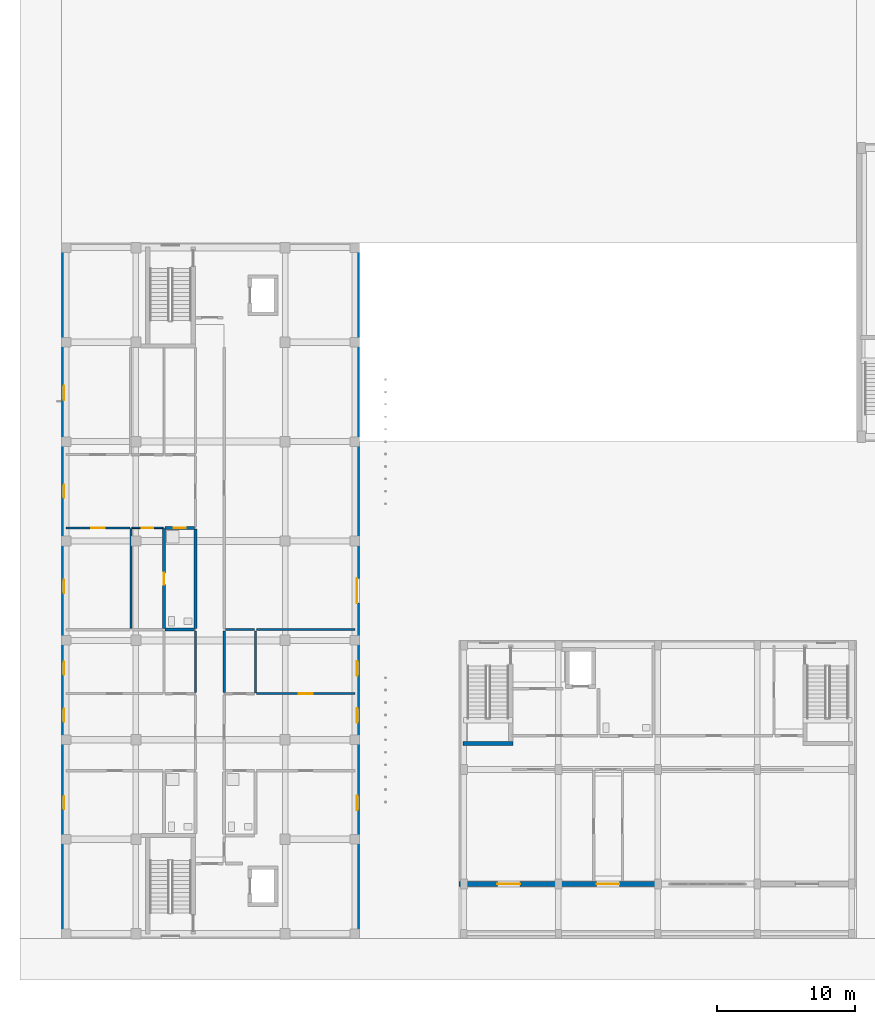
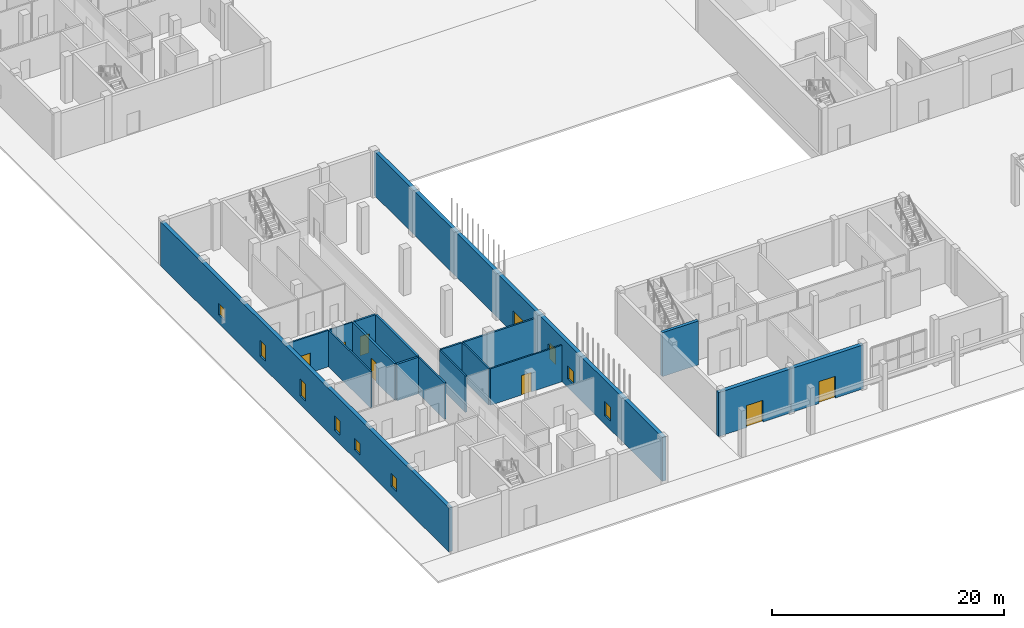
# One storey, part 37 of 85: 18 walls, 9 windows, 8 doors, 17 openings.
"""IFC4 building model written with IfcOpenShell, lengths in metres."""

from ifc_helpers import new_model, si_unit, derived_unit, direction, frame, frame_2d, origin, place, context, subcontext, project, spatial, rectangle, extrude, material, layer, layer_set, type_object, element, fill, save


model = new_model("IFC4")

# Units and contexts
model_context = context("Model", 3, precision=1e-05, world=origin(), true_north=direction((0.0, 1.0)))
body_context = subcontext(model_context, "Body", "Model", "MODEL_VIEW")
ifc_project = project(units=[si_unit("LENGTHUNIT", "METRE"), si_unit("AREAUNIT", "SQUARE_METRE"), si_unit("VOLUMEUNIT", "CUBIC_METRE"), si_unit("PLANEANGLEUNIT", "RADIAN"), si_unit("MASSUNIT", "GRAM", prefix="KILO"), derived_unit("THERMALTRANSMITTANCEUNIT", [(si_unit("MASSUNIT", "GRAM", prefix="KILO"), 1), (si_unit("TIMEUNIT", "SECOND"), -3), (si_unit("THERMODYNAMICTEMPERATUREUNIT", "KELVIN"), -1)])], contexts=[model_context])

# Site, building, storey
site_placement = place(None, origin())
site = spatial("IfcSite", under=ifc_project, at=site_placement, CompositionType="ELEMENT")
building_placement = place(site_placement, origin())
building = spatial("IfcBuilding", under=site, at=building_placement, Name="Ochrekiln Boulevard Commons", CompositionType="ELEMENT")
storey_placement = place(building_placement, origin())
storey = spatial("IfcBuildingStorey", under=building, at=storey_placement, Name="L00", CompositionType="ELEMENT", Elevation=0.0)

# Wall, opening, door
ifc_material_1 = material(Name="Desert ochre clinker brick masonry ASTM C216 Grade SW", Category="masonry")
ifc_layer_1 = layer(ifc_material_1, 0.3798828125)
ifc_layer_set_1 = layer_set([ifc_layer_1], Name="Desert ochre clinker brick masonry ASTM C216 Grade SW")
wall_type_1 = type_object("IfcWallType", Name="WL-EXT-ARC-380", PredefinedType="SOLIDWALL", material=ifc_layer_set_1)
wall_1_placement = place(storey_placement, frame((28.800048828125, 3.949951171875, 0.0), z_axis=(0.0, 0.0, 1.0), x_axis=(1.0, 0.0, 0.0)))
wall_1 = element("IfcWall", 1, at=wall_1_placement, inside=storey, type_object=wall_type_1, Name="West Boulevard Arcade Shopfront Portal Wall 1", PredefinedType="SOLIDWALL", context=body_context, shape_type="SweptSolid", body=[
    extrude(rectangle(XDim=7.199951171875, YDim=0.3798828125, at=frame_2d((3.60009765625, 0.0))), origin(), (0.0, 0.0, 1.0), 4.625),
])
opening_1_placement = place(wall_1_placement, frame((2.77490234375, 0.0, 0.0)))
opening_1 = element("IfcOpeningElement", 2, at=opening_1_placement, cuts=wall_1, Name="Opening D-L00-SHW1", PredefinedType="OPENING", context=body_context, shape_type="SweptSolid", body=[
    extrude(rectangle(XDim=1.64990234375, YDim=2.300048828125, at=frame_2d((0.824951171875, 1.14990234375))), frame((0.0, 0.199951171875, 0.0), z_axis=(0.0, -1.0, 0.0), x_axis=(1.0, 0.0, 0.0)), (0.0, 0.0, 1.0), 0.39990234375),
])
ifc_material_2 = material(Name="Bronze-anodized extruded aluminium 6063-T6", Category="aluminium")
door_type_1 = type_object("IfcDoorType", Name="DR-EXT-SHOP-165", OperationType="DOUBLE_DOOR_SINGLE_SWING", PredefinedType="DOOR", material=ifc_material_2)
door_1_placement = place(opening_1_placement, frame((1.64990234375, 0.0, 0.0), z_axis=(0.0, 0.0, 1.0), x_axis=(-1.0, 0.0, 0.0)))
door_1 = element("IfcDoor", 3, at=door_1_placement, inside=storey, type_object=door_type_1, Name="West Boulevard Arcade Retail Shop Entrance Door 1", OperationType="DOUBLE_DOOR_SINGLE_SWING", OverallHeight=2.300048828125, OverallWidth=1.64990234375, PredefinedType="DOOR", context=body_context, shape_type="SweptSolid", body=[
    extrude(rectangle(XDim=1.64990234375, YDim=2.300048828125, at=frame_2d((0.824951171875, 1.14990234375))), frame((0.0, 0.02490234375, 0.0), z_axis=(0.0, -1.0, 0.0), x_axis=(1.0, 0.0, 0.0)), (0.0, 0.0, 1.0), 0.050048828125),
])
fill(opening_1, door_1)

wall_2_placement = place(storey_placement, frame((36.0, 3.949951171875, 0.0), z_axis=(0.0, 0.0, 1.0), x_axis=(1.0, 0.0, 0.0)))
wall_2 = element("IfcWall", 4, at=wall_2_placement, inside=storey, type_object=wall_type_1, Name="West Boulevard Arcade Shopfront Portal Wall 2", PredefinedType="SOLIDWALL", context=body_context, shape_type="SweptSolid", body=[
    extrude(rectangle(XDim=7.199951171875, YDim=0.3798828125, at=frame_2d((3.60009765625, 0.0))), origin(), (0.0, 0.0, 1.0), 4.625),
])
opening_2_placement = place(wall_2_placement, frame((2.77490234375, 0.0, 0.0)))
opening_2 = element("IfcOpeningElement", 5, at=opening_2_placement, cuts=wall_2, Name="Opening D-L00-SHW2", PredefinedType="OPENING", context=body_context, shape_type="SweptSolid", body=[
    extrude(rectangle(XDim=1.64990234375, YDim=2.300048828125, at=frame_2d((0.824951171875, 1.14990234375))), frame((0.0, 0.199951171875, 0.0), z_axis=(0.0, -1.0, 0.0), x_axis=(1.0, 0.0, 0.0)), (0.0, 0.0, 1.0), 0.39990234375),
])
door_2_placement = place(opening_2_placement, frame((1.64990234375, 0.0, 0.0), z_axis=(0.0, 0.0, 1.0), x_axis=(-1.0, 0.0, 0.0)))
door_2 = element("IfcDoor", 6, at=door_2_placement, inside=storey, type_object=door_type_1, Name="West Boulevard Arcade Breezeway Passage Entrance Door 2", OperationType="DOUBLE_DOOR_SINGLE_SWING", OverallHeight=2.300048828125, OverallWidth=1.64990234375, PredefinedType="DOOR", context=body_context, shape_type="SweptSolid", body=[
    extrude(rectangle(XDim=1.64990234375, YDim=2.300048828125, at=frame_2d((0.824951171875, 1.14990234375))), frame((0.0, 0.02490234375, 0.0), z_axis=(0.0, -1.0, 0.0), x_axis=(1.0, 0.0, 0.0)), (0.0, 0.0, 1.0), 0.050048828125),
])
fill(opening_2, door_2)

# Wall, openings, windows
ifc_material_3 = material(Name="Iron-spot brown clinker brick masonry ASTM C216 Grade SW", Category="masonry")
ifc_layer_2 = layer(ifc_material_3, 0.364990234375)
ifc_layer_set_2 = layer_set([ifc_layer_2], Name="Iron-spot brown clinker brick masonry ASTM C216 Grade SW")
wall_type_2 = type_object("IfcWallType", Name="WL-EXT-IRON-365", PredefinedType="SOLIDWALL", material=ifc_layer_set_2)
wall_3_placement = place(storey_placement, frame((0.1826171875, 0.364990234375, 0.0), z_axis=(0.0, 0.0, 1.0), x_axis=(0.0, 1.0, 0.0)))
wall_3 = element("IfcWall", 7, at=wall_3_placement, inside=storey, type_object=wall_type_2, Name="Block D L00 W Exterior Wall", PredefinedType="SOLIDWALL", context=body_context, shape_type="SweptSolid", body=[
    extrude(rectangle(XDim=49.669921875, YDim=0.364990234375, at=frame_2d((24.8349609375, 0.0))), origin(), (0.0, 0.0, 1.0), 4.639892578125),
])
opening_3_placement = place(wall_3_placement, frame((15.324951171875, 0.0, 0.89990234375)))
opening_3 = element("IfcOpeningElement", 8, at=opening_3_placement, cuts=wall_3, Name="Opening W-01", PredefinedType="OPENING", context=body_context, shape_type="SweptSolid", body=[
    extrude(rectangle(XDim=0.949951171875, YDim=1.199951171875, at=frame_2d((0.47509765625, 0.60009765625))), frame((0.0, 0.1923828125, 0.0), z_axis=(0.0, -1.0, 0.0), x_axis=(1.0, 0.0, 0.0)), (0.0, 0.0, 1.0), 0.385009765625),
])
opening_4_placement = place(wall_3_placement, frame((8.9970703125, 0.0, 0.89990234375)))
opening_4 = element("IfcOpeningElement", 9, at=opening_4_placement, cuts=wall_3, Name="Opening W-02", PredefinedType="OPENING", context=body_context, shape_type="SweptSolid", body=[
    extrude(rectangle(XDim=0.949951171875, YDim=1.35009765625, at=frame_2d((0.47509765625, 0.675048828125))), frame((0.0, 0.1923828125, 0.0), z_axis=(0.0, -1.0, 0.0), x_axis=(1.0, 0.0, 0.0)), (0.0, 0.0, 1.0), 0.385009765625),
])
opening_5_placement = place(wall_3_placement, frame((18.735107421875, 0.0, 0.89990234375)))
opening_5 = element("IfcOpeningElement", 10, at=opening_5_placement, cuts=wall_3, Name="Opening W-03", PredefinedType="OPENING", context=body_context, shape_type="SweptSolid", body=[
    extrude(rectangle(XDim=0.949951171875, YDim=1.5, at=frame_2d((0.47509765625, 0.75))), frame((0.0, 0.1923828125, 0.0), z_axis=(0.0, -1.0, 0.0), x_axis=(1.0, 0.0, 0.0)), (0.0, 0.0, 1.0), 0.385009765625),
])
opening_6_placement = place(wall_3_placement, frame((31.56005859375, 0.0, 0.89990234375)))
opening_6 = element("IfcOpeningElement", 11, at=opening_6_placement, cuts=wall_3, Name="Opening W-04", PredefinedType="OPENING", context=body_context, shape_type="SweptSolid", body=[
    extrude(rectangle(XDim=0.949951171875, YDim=1.64990234375, at=frame_2d((0.47509765625, 0.824951171875))), frame((0.0, 0.1923828125, 0.0), z_axis=(0.0, -1.0, 0.0), x_axis=(1.0, 0.0, 0.0)), (0.0, 0.0, 1.0), 0.385009765625),
])
opening_7_placement = place(wall_3_placement, frame((24.662109375, 0.0, 0.89990234375)))
opening_7 = element("IfcOpeningElement", 12, at=opening_7_placement, cuts=wall_3, Name="Opening W-05", PredefinedType="OPENING", context=body_context, shape_type="SweptSolid", body=[
    extrude(rectangle(XDim=0.949951171875, YDim=1.800048828125, at=frame_2d((0.47509765625, 0.89990234375))), frame((0.0, 0.1923828125, 0.0), z_axis=(0.0, -1.0, 0.0), x_axis=(1.0, 0.0, 0.0)), (0.0, 0.0, 1.0), 0.385009765625),
])
opening_8_placement = place(wall_3_placement, frame((38.64501953125, 0.0, 0.89990234375)))
opening_8 = element("IfcOpeningElement", 13, at=opening_8_placement, cuts=wall_3, Name="Opening W-06", PredefinedType="OPENING", context=body_context, shape_type="SweptSolid", body=[
    extrude(rectangle(XDim=1.050048828125, YDim=1.199951171875, at=frame_2d((0.52490234375, 0.60009765625))), frame((0.0, 0.1923828125, 0.0), z_axis=(0.0, -1.0, 0.0), x_axis=(1.0, 0.0, 0.0)), (0.0, 0.0, 1.0), 0.385009765625),
])
ifc_material_4 = material(Name="Thermally broken aluminium-clad oak frame", Category="aluminium")
window_type_1 = type_object("IfcWindowType", Name="WIN-EXT-01", PartitioningType="SINGLE_PANEL", PredefinedType="WINDOW", material=ifc_material_4)
window_1_placement = place(opening_3_placement, origin())
window_1 = element("IfcWindow", 14, at=window_1_placement, inside=storey, type_object=window_type_1, Name="Block D L00 Punched Masonry Window W-01", OverallHeight=1.199951171875, OverallWidth=0.949951171875, PartitioningType="SINGLE_PANEL", PredefinedType="WINDOW", context=body_context, shape_type="SweptSolid", body=[
    extrude(rectangle(XDim=0.949951171875, YDim=1.199951171875, at=frame_2d((0.47509765625, 0.60009765625))), frame((0.0, 0.030029296875, 0.0), z_axis=(0.0, -1.0, 0.0), x_axis=(1.0, 0.0, 0.0)), (0.0, 0.0, 1.0), 0.06005859375),
])
fill(opening_3, window_1)
window_type_2 = type_object("IfcWindowType", Name="WIN-EXT-02", PartitioningType="SINGLE_PANEL", PredefinedType="WINDOW", material=ifc_material_4)
window_2_placement = place(opening_4_placement, origin())
window_2 = element("IfcWindow", 15, at=window_2_placement, inside=storey, type_object=window_type_2, Name="Block D L00 Punched Masonry Window W-02", OverallHeight=1.35009765625, OverallWidth=0.949951171875, PartitioningType="SINGLE_PANEL", PredefinedType="WINDOW", context=body_context, shape_type="SweptSolid", body=[
    extrude(rectangle(XDim=0.949951171875, YDim=1.35009765625, at=frame_2d((0.47509765625, 0.675048828125))), frame((0.0, 0.030029296875, 0.0), z_axis=(0.0, -1.0, 0.0), x_axis=(1.0, 0.0, 0.0)), (0.0, 0.0, 1.0), 0.06005859375),
])
fill(opening_4, window_2)
window_type_3 = type_object("IfcWindowType", Name="WIN-EXT-03", PartitioningType="SINGLE_PANEL", PredefinedType="WINDOW", material=ifc_material_4)
window_3_placement = place(opening_5_placement, origin())
window_3 = element("IfcWindow", 16, at=window_3_placement, inside=storey, type_object=window_type_3, Name="Block D L00 Punched Masonry Window W-03", OverallHeight=1.5, OverallWidth=0.949951171875, PartitioningType="SINGLE_PANEL", PredefinedType="WINDOW", context=body_context, shape_type="SweptSolid", body=[
    extrude(rectangle(XDim=0.949951171875, YDim=1.5, at=frame_2d((0.47509765625, 0.75))), frame((0.0, 0.030029296875, 0.0), z_axis=(0.0, -1.0, 0.0), x_axis=(1.0, 0.0, 0.0)), (0.0, 0.0, 1.0), 0.06005859375),
])
fill(opening_5, window_3)
window_type_4 = type_object("IfcWindowType", Name="WIN-EXT-04", PartitioningType="SINGLE_PANEL", PredefinedType="WINDOW", material=ifc_material_4)
window_4_placement = place(opening_6_placement, origin())
window_4 = element("IfcWindow", 17, at=window_4_placement, inside=storey, type_object=window_type_4, Name="Block D L00 Punched Masonry Window W-04", OverallHeight=1.64990234375, OverallWidth=0.949951171875, PartitioningType="SINGLE_PANEL", PredefinedType="WINDOW", context=body_context, shape_type="SweptSolid", body=[
    extrude(rectangle(XDim=0.949951171875, YDim=1.64990234375, at=frame_2d((0.47509765625, 0.824951171875))), frame((0.0, 0.030029296875, 0.0), z_axis=(0.0, -1.0, 0.0), x_axis=(1.0, 0.0, 0.0)), (0.0, 0.0, 1.0), 0.06005859375),
])
fill(opening_6, window_4)
window_type_5 = type_object("IfcWindowType", Name="WIN-EXT-05", PartitioningType="SINGLE_PANEL", PredefinedType="WINDOW", material=ifc_material_4)
window_5_placement = place(opening_7_placement, origin())
window_5 = element("IfcWindow", 18, at=window_5_placement, inside=storey, type_object=window_type_5, Name="Block D L00 Punched Masonry Window W-05", OverallHeight=1.800048828125, OverallWidth=0.949951171875, PartitioningType="SINGLE_PANEL", PredefinedType="WINDOW", context=body_context, shape_type="SweptSolid", body=[
    extrude(rectangle(XDim=0.949951171875, YDim=1.800048828125, at=frame_2d((0.47509765625, 0.89990234375))), frame((0.0, 0.030029296875, 0.0), z_axis=(0.0, -1.0, 0.0), x_axis=(1.0, 0.0, 0.0)), (0.0, 0.0, 1.0), 0.06005859375),
])
fill(opening_7, window_5)
window_type_6 = type_object("IfcWindowType", Name="WIN-EXT-06", PartitioningType="SINGLE_PANEL", PredefinedType="WINDOW", material=ifc_material_4)
window_6_placement = place(opening_8_placement, origin())
window_6 = element("IfcWindow", 19, at=window_6_placement, inside=storey, type_object=window_type_6, Name="Block D L00 Punched Masonry Window W-06", OverallHeight=1.199951171875, OverallWidth=1.050048828125, PartitioningType="SINGLE_PANEL", PredefinedType="WINDOW", context=body_context, shape_type="SweptSolid", body=[
    extrude(rectangle(XDim=1.050048828125, YDim=1.199951171875, at=frame_2d((0.52490234375, 0.60009765625))), frame((0.0, 0.030029296875, 0.0), z_axis=(0.0, -1.0, 0.0), x_axis=(1.0, 0.0, 0.0)), (0.0, 0.0, 1.0), 0.06005859375),
])
fill(opening_8, window_6)

# Wall, openings, door, windows
wall_4_placement = place(storey_placement, frame((21.41748046875, 0.364990234375, 0.0), z_axis=(0.0, 0.0, 1.0), x_axis=(0.0, 1.0, 0.0)))
wall_4 = element("IfcWall", 20, at=wall_4_placement, inside=storey, type_object=wall_type_2, Name="Block D L00 E Exterior Wall", PredefinedType="SOLIDWALL", context=body_context, shape_type="SweptSolid", body=[
    extrude(rectangle(XDim=49.669921875, YDim=0.364990234375, at=frame_2d((24.8349609375, 0.0))), origin(), (0.0, 0.0, 1.0), 4.639892578125),
])
opening_9_placement = place(wall_4_placement, frame((23.93505859375, 0.0, 0.0)))
opening_9 = element("IfcOpeningElement", 21, at=opening_9_placement, cuts=wall_4, Name="Opening D-L00-MN38", PredefinedType="OPENING", context=body_context, shape_type="SweptSolid", body=[
    extrude(rectangle(XDim=1.800048828125, YDim=2.35009765625, at=frame_2d((0.89990234375, 1.175048828125))), frame((0.0, 0.1923828125, 0.0), z_axis=(0.0, -1.0, 0.0), x_axis=(1.0, 0.0, 0.0)), (0.0, 0.0, 1.0), 0.385009765625),
])
opening_10_placement = place(wall_4_placement, frame((15.27392578125, 0.0, 0.89990234375)))
opening_10 = element("IfcOpeningElement", 22, at=opening_10_placement, cuts=wall_4, Name="Opening W-07", PredefinedType="OPENING", context=body_context, shape_type="SweptSolid", body=[
    extrude(rectangle(XDim=1.050048828125, YDim=1.35009765625, at=frame_2d((0.52490234375, 0.675048828125))), frame((0.0, 0.1923828125, 0.0), z_axis=(0.0, -1.0, 0.0), x_axis=(1.0, 0.0, 0.0)), (0.0, 0.0, 1.0), 0.385009765625),
])
opening_11_placement = place(wall_4_placement, frame((8.947021484375, 0.0, 0.89990234375)))
opening_11 = element("IfcOpeningElement", 23, at=opening_11_placement, cuts=wall_4, Name="Opening W-08", PredefinedType="OPENING", context=body_context, shape_type="SweptSolid", body=[
    extrude(rectangle(XDim=1.050048828125, YDim=1.5, at=frame_2d((0.52490234375, 0.75))), frame((0.0, 0.1923828125, 0.0), z_axis=(0.0, -1.0, 0.0), x_axis=(1.0, 0.0, 0.0)), (0.0, 0.0, 1.0), 0.385009765625),
])
opening_12_placement = place(wall_4_placement, frame((18.68505859375, 0.0, 0.89990234375)))
opening_12 = element("IfcOpeningElement", 24, at=opening_12_placement, cuts=wall_4, Name="Opening W-09", PredefinedType="OPENING", context=body_context, shape_type="SweptSolid", body=[
    extrude(rectangle(XDim=1.050048828125, YDim=1.64990234375, at=frame_2d((0.52490234375, 0.824951171875))), frame((0.0, 0.1923828125, 0.0), z_axis=(0.0, -1.0, 0.0), x_axis=(1.0, 0.0, 0.0)), (0.0, 0.0, 1.0), 0.385009765625),
])
door_type_2 = type_object("IfcDoorType", Name="DR-EXT-MAIN-180", OperationType="DOUBLE_DOOR_SINGLE_SWING", PredefinedType="DOOR", material=ifc_material_2)
door_3_placement = place(opening_9_placement, frame((1.800048828125, 0.0, 0.0), z_axis=(0.0, 0.0, 1.0), x_axis=(-1.0, 0.0, 0.0)))
door_3 = element("IfcDoor", 25, at=door_3_placement, inside=storey, type_object=door_type_2, Name="Block D Main Pedestrian Entrance and Final Exit Door", OperationType="DOUBLE_DOOR_SINGLE_SWING", OverallHeight=2.35009765625, OverallWidth=1.800048828125, PredefinedType="DOOR", context=body_context, shape_type="SweptSolid", body=[
    extrude(rectangle(XDim=1.800048828125, YDim=2.35009765625, at=frame_2d((0.89990234375, 1.175048828125))), frame((0.0, 0.02490234375, 0.0), z_axis=(0.0, -1.0, 0.0), x_axis=(1.0, 0.0, 0.0)), (0.0, 0.0, 1.0), 0.050048828125),
])
fill(opening_9, door_3)
window_type_7 = type_object("IfcWindowType", Name="WIN-EXT-07", PartitioningType="SINGLE_PANEL", PredefinedType="WINDOW", material=ifc_material_4)
window_7_placement = place(opening_10_placement, origin())
window_7 = element("IfcWindow", 26, at=window_7_placement, inside=storey, type_object=window_type_7, Name="Block D L00 Punched Masonry Window W-07", OverallHeight=1.35009765625, OverallWidth=1.050048828125, PartitioningType="SINGLE_PANEL", PredefinedType="WINDOW", context=body_context, shape_type="SweptSolid", body=[
    extrude(rectangle(XDim=1.050048828125, YDim=1.35009765625, at=frame_2d((0.52490234375, 0.675048828125))), frame((0.0, 0.030029296875, 0.0), z_axis=(0.0, -1.0, 0.0), x_axis=(1.0, 0.0, 0.0)), (0.0, 0.0, 1.0), 0.06005859375),
])
fill(opening_10, window_7)
window_type_8 = type_object("IfcWindowType", Name="WIN-EXT-08", PartitioningType="SINGLE_PANEL", PredefinedType="WINDOW", material=ifc_material_4)
window_8_placement = place(opening_11_placement, origin())
window_8 = element("IfcWindow", 27, at=window_8_placement, inside=storey, type_object=window_type_8, Name="Block D L00 Punched Masonry Window W-08", OverallHeight=1.5, OverallWidth=1.050048828125, PartitioningType="SINGLE_PANEL", PredefinedType="WINDOW", context=body_context, shape_type="SweptSolid", body=[
    extrude(rectangle(XDim=1.050048828125, YDim=1.5, at=frame_2d((0.52490234375, 0.75))), frame((0.0, 0.030029296875, 0.0), z_axis=(0.0, -1.0, 0.0), x_axis=(1.0, 0.0, 0.0)), (0.0, 0.0, 1.0), 0.06005859375),
])
fill(opening_11, window_8)
window_type_9 = type_object("IfcWindowType", Name="WIN-EXT-09", PartitioningType="SINGLE_PANEL", PredefinedType="WINDOW", material=ifc_material_4)
window_9_placement = place(opening_12_placement, origin())
window_9 = element("IfcWindow", 28, at=window_9_placement, inside=storey, type_object=window_type_9, Name="Block D L00 Punched Masonry Window W-09", OverallHeight=1.64990234375, OverallWidth=1.050048828125, PartitioningType="SINGLE_PANEL", PredefinedType="WINDOW", context=body_context, shape_type="SweptSolid", body=[
    extrude(rectangle(XDim=1.050048828125, YDim=1.64990234375, at=frame_2d((0.52490234375, 0.824951171875))), frame((0.0, 0.030029296875, 0.0), z_axis=(0.0, -1.0, 0.0), x_axis=(1.0, 0.0, 0.0)), (0.0, 0.0, 1.0), 0.06005859375),
])
fill(opening_12, window_9)

# Wall
ifc_material_5 = material(Name="Moisture-resistant cementitious tile backer wall")
ifc_layer_3 = layer(ifc_material_5, 0.199951171875)
ifc_layer_set_3 = layer_set([ifc_layer_3], Name="Moisture-resistant cementitious tile backer wall")
wall_type_3 = type_object("IfcWallType", Name="WL-PLM-200", PredefinedType="PLUMBINGWALL", material=ifc_layer_set_3)
wall_5_placement = place(storey_placement, frame((7.52001953125, 22.384033203125, 0.0), z_axis=(0.0, 0.0, 1.0), x_axis=(1.0, 0.0, 0.0)))
element("IfcWall", 29, at=wall_5_placement, inside=storey, type_object=wall_type_3, Name="L00 Interior Wall W-PW200", PredefinedType="PLUMBINGWALL", context=body_context, shape_type="SweptSolid", body=[
    extrude(rectangle(XDim=2.10791015625, YDim=0.199951171875, at=frame_2d((1.053955078125, 0.0))), origin(), (0.0, 0.0, 1.0), 3.840087890625),
])

# Wall, opening, door
wall_6_placement = place(storey_placement, frame((7.52001953125, 29.75, 0.0), z_axis=(0.0, 0.0, 1.0), x_axis=(1.0, 0.0, 0.0)))
wall_6 = element("IfcWall", 30, at=wall_6_placement, inside=storey, type_object=wall_type_3, Name="L00 Interior Wall W-PW200", PredefinedType="PLUMBINGWALL", context=body_context, shape_type="SweptSolid", body=[
    extrude(rectangle(XDim=2.10791015625, YDim=0.199951171875, at=frame_2d((1.053955078125, 0.0))), origin(), (0.0, 0.0, 1.0), 3.840087890625),
])
opening_13_placement = place(wall_6_placement, frame((0.60498046875, 0.0, 0.0)))
opening_13 = element("IfcOpeningElement", 31, at=opening_13_placement, cuts=wall_6, Name="Opening D-L00-091", PredefinedType="OPENING", context=body_context, shape_type="SweptSolid", body=[
    extrude(rectangle(XDim=0.889892578125, YDim=2.030029296875, at=frame_2d((0.44482421875, 1.01513671875))), frame((0.0, 0.10986328125, 0.0), z_axis=(0.0, -1.0, 0.0), x_axis=(1.0, 0.0, 0.0)), (0.0, 0.0, 1.0), 0.219970703125),
])
ifc_material_6 = material(Name="Solid core architectural oak door leaf")
door_type_3 = type_object("IfcDoorType", Name="DR-INT-BTH-089", OperationType="NOTDEFINED", PredefinedType="DOOR", material=ifc_material_6)
door_4_placement = place(opening_13_placement, frame((0.889892578125, 0.0, 0.0), z_axis=(0.0, 0.0, 1.0), x_axis=(-1.0, 0.0, 0.0)))
door_4 = element("IfcDoor", 32, at=door_4_placement, inside=storey, type_object=door_type_3, Name="L00 Interior Door to Apartment Bathroom", OperationType="SINGLE_SWING_LEFT", OverallHeight=2.030029296875, OverallWidth=0.889892578125, PredefinedType="DOOR", context=body_context, shape_type="SweptSolid", body=[
    extrude(rectangle(XDim=0.889892578125, YDim=2.030029296875, at=frame_2d((0.44482421875, 1.01513671875))), frame((0.0, 0.02490234375, 0.0), z_axis=(0.0, -1.0, 0.0), x_axis=(1.0, 0.0, 0.0)), (0.0, 0.0, 1.0), 0.050048828125),
])
fill(opening_13, door_4)

wall_7_placement = place(storey_placement, frame((7.43994140625, 22.47412109375, 0.0), z_axis=(0.0, 0.0, 1.0), x_axis=(0.0, 1.0, 0.0)))
wall_7 = element("IfcWall", 33, at=wall_7_placement, inside=storey, type_object=wall_type_3, Name="L00 Interior Wall W-PW200", PredefinedType="PLUMBINGWALL", context=body_context, shape_type="SweptSolid", body=[
    extrude(rectangle(XDim=7.2158203125, YDim=0.199951171875, at=frame_2d((3.60791015625, 0.0))), origin(), (0.0, 0.0, 1.0), 3.840087890625),
])
opening_14_placement = place(wall_7_placement, frame((3.173095703125, 0.0, 0.0)))
opening_14 = element("IfcOpeningElement", 34, at=opening_14_placement, cuts=wall_7, Name="Opening D-L00-097", PredefinedType="OPENING", context=body_context, shape_type="SweptSolid", body=[
    extrude(rectangle(XDim=0.85009765625, YDim=2.010009765625, at=frame_2d((0.425048828125, 1.0048828125))), frame((0.0, 0.10986328125, 0.0), z_axis=(0.0, -1.0, 0.0), x_axis=(1.0, 0.0, 0.0)), (0.0, 0.0, 1.0), 0.219970703125),
])
door_type_4 = type_object("IfcDoorType", Name="DR-INT-KIT-085", OperationType="NOTDEFINED", PredefinedType="DOOR", material=ifc_material_6)
door_5_placement = place(opening_14_placement, frame((0.85009765625, 0.0, 0.0), z_axis=(0.0, 0.0, 1.0), x_axis=(-1.0, 0.0, 0.0)))
door_5 = element("IfcDoor", 35, at=door_5_placement, inside=storey, type_object=door_type_4, Name="L00 Interior Door to Apartment Bathroom", OperationType="SINGLE_SWING_LEFT", OverallHeight=2.010009765625, OverallWidth=0.85009765625, PredefinedType="DOOR", context=body_context, shape_type="SweptSolid", body=[
    extrude(rectangle(XDim=0.85009765625, YDim=2.010009765625, at=frame_2d((0.425048828125, 1.0048828125))), frame((0.0, 0.02490234375, 0.0), z_axis=(0.0, -1.0, 0.0), x_axis=(1.0, 0.0, 0.0)), (0.0, 0.0, 1.0), 0.050048828125),
])
fill(opening_14, door_5)

# Walls
ifc_layer_4 = layer(ifc_material_5, 0.219970703125)
ifc_layer_set_4 = layer_set([ifc_layer_4], Name="Moisture-resistant cementitious tile backer wall")
wall_type_4 = type_object("IfcWallType", Name="WL-PLM-220", PredefinedType="PLUMBINGWALL", material=ifc_layer_set_4)
wall_8_placement = place(storey_placement, frame((9.7099609375, 22.47412109375, 0.0), z_axis=(0.0, 0.0, 1.0), x_axis=(0.0, 1.0, 0.0)))
element("IfcWall", 36, at=wall_8_placement, inside=storey, type_object=wall_type_4, Name="L00 Interior Wall W-PW220", PredefinedType="PLUMBINGWALL", context=body_context, shape_type="SweptSolid", body=[
    extrude(rectangle(XDim=7.19580078125, YDim=0.219970703125, at=frame_2d((3.597900390625, 0.0))), origin(), (0.0, 0.0, 1.0), 3.840087890625),
])
ifc_material_7 = material(Name="Fire-rated Type X gypsum board on steel studs", Category="steel")
ifc_layer_5 = layer(ifc_material_7, 0.169921875)
ifc_layer_set_5 = layer_set([ifc_layer_5], Name="Fire-rated Type X gypsum board on steel studs")
wall_type_5 = type_object("IfcWallType", Name="WL-PT-CIV-170", PredefinedType="PARTITIONING", material=ifc_layer_set_5)
wall_9_placement = place(storey_placement, frame((11.8720703125, 22.384033203125, 0.0), z_axis=(0.0, 0.0, 1.0), x_axis=(1.0, 0.0, 0.0)))
element("IfcWall", 37, at=wall_9_placement, inside=storey, type_object=wall_type_5, Name="L00 Interior Wall W-PV170", PredefinedType="PARTITIONING", context=body_context, shape_type="SweptSolid", body=[
    extrude(rectangle(XDim=2.113037109375, YDim=0.169921875, at=frame_2d((1.056640625, 0.0))), origin(), (0.0, 0.0, 1.0), 3.840087890625),
])
wall_10_placement = place(storey_placement, frame((14.135009765625, 22.384033203125, 0.0), z_axis=(0.0, 0.0, 1.0), x_axis=(1.0, 0.0, 0.0)))
element("IfcWall", 38, at=wall_10_placement, inside=storey, type_object=wall_type_5, Name="L00 Interior Wall W-PV170", PredefinedType="PARTITIONING", context=body_context, shape_type="SweptSolid", body=[
    extrude(rectangle(XDim=7.114990234375, YDim=0.169921875, at=frame_2d((3.5576171875, 0.0))), origin(), (0.0, 0.0, 1.0), 3.840087890625),
])
ifc_layer_6 = layer(ifc_material_7, 0.1650390625)
ifc_layer_set_6 = layer_set([ifc_layer_6], Name="Fire-rated Type X gypsum board on steel studs")
wall_type_6 = type_object("IfcWallType", Name="WL-PT-CORR-165", PredefinedType="PARTITIONING", material=ifc_layer_set_6)
for number, where, z_axis, x_axis, name in (
    (39, (9.7099609375, 17.819091796875, 0.0), (0.0, 0.0, 1.0), (0.0, 1.0, 0.0), "L00 Interior Wall W-PC165"),
    (40, (11.7900390625, 17.819091796875, 0.0), (0.0, 0.0, 1.0), (0.0, 1.0, 0.0), "L00 Interior Wall W-PC165"),
):
    element("IfcWall", number, at=place(storey_placement, frame(where, z_axis=z_axis, x_axis=x_axis)), inside=storey, type_object=wall_type_6, Name=name, PredefinedType="PARTITIONING", context=body_context, shape_type="SweptSolid", body=[
        extrude(rectangle(XDim=4.474853515625, YDim=0.1650390625, at=frame_2d((2.2373046875, 0.0))), origin(), (0.0, 0.0, 1.0), 3.840087890625),
    ])

# Wall, opening, door
ifc_layer_7 = layer(ifc_material_7, 0.1201171875)
ifc_layer_set_7 = layer_set([ifc_layer_7], Name="Fire-rated Type X gypsum board on steel studs")
wall_type_7 = type_object("IfcWallType", Name="WL-PT-LGT-120", PredefinedType="PARTITIONING", material=ifc_layer_set_7)
wall_11_placement = place(storey_placement, frame((5.110107421875, 29.75, 0.0), z_axis=(0.0, 0.0, 1.0), x_axis=(1.0, 0.0, 0.0)))
wall_11 = element("IfcWall", 41, at=wall_11_placement, inside=storey, type_object=wall_type_7, Name="L00 Interior Wall W-PL120", PredefinedType="PARTITIONING", context=body_context, shape_type="SweptSolid", body=[
    extrude(rectangle(XDim=2.25, YDim=0.1201171875, at=frame_2d((1.125, 0.0))), origin(), (0.0, 0.0, 1.0), 3.840087890625),
])
opening_15_placement = place(wall_11_placement, frame((0.699951171875, 0.0, 0.0)))
opening_15 = element("IfcOpeningElement", 42, at=opening_15_placement, cuts=wall_11, Name="Opening D-L00-094", PredefinedType="OPENING", context=body_context, shape_type="SweptSolid", body=[
    extrude(rectangle(XDim=0.85009765625, YDim=2.010009765625, at=frame_2d((0.425048828125, 1.0048828125))), frame((0.0, 0.070068359375, 0.0), z_axis=(0.0, -1.0, 0.0), x_axis=(1.0, 0.0, 0.0)), (0.0, 0.0, 1.0), 0.14013671875),
])
door_6_placement = place(opening_15_placement, frame((0.85009765625, 0.0, 0.0), z_axis=(0.0, 0.0, 1.0), x_axis=(-1.0, 0.0, 0.0)))
door_6 = element("IfcDoor", 43, at=door_6_placement, inside=storey, type_object=door_type_4, Name="L00 Interior Door to Apartment Walk-In Wardrobe", OperationType="SINGLE_SWING_RIGHT", OverallHeight=2.010009765625, OverallWidth=0.85009765625, PredefinedType="DOOR", context=body_context, shape_type="SweptSolid", body=[
    extrude(rectangle(XDim=0.85009765625, YDim=2.010009765625, at=frame_2d((0.425048828125, 1.0048828125))), frame((0.0, 0.02490234375, 0.0), z_axis=(0.0, -1.0, 0.0), x_axis=(1.0, 0.0, 0.0)), (0.0, 0.0, 1.0), 0.050048828125),
])
fill(opening_15, door_6)

ifc_layer_8 = layer(ifc_material_7, 0.14990234375)
ifc_layer_set_8 = layer_set([ifc_layer_8], Name="Fire-rated Type X gypsum board on steel studs")
wall_type_8 = type_object("IfcWallType", Name="WL-PT-STD-150", PredefinedType="PARTITIONING", material=ifc_layer_set_8)
wall_12_placement = place(storey_placement, frame((0.35009765625, 29.75, 0.0), z_axis=(0.0, 0.0, 1.0), x_axis=(1.0, 0.0, 0.0)))
wall_12 = element("IfcWall", 44, at=wall_12_placement, inside=storey, type_object=wall_type_8, Name="L00 Interior Wall W-PS150", PredefinedType="PARTITIONING", context=body_context, shape_type="SweptSolid", body=[
    extrude(rectangle(XDim=4.599853515625, YDim=0.14990234375, at=frame_2d((2.2998046875, 0.0))), origin(), (0.0, 0.0, 1.0), 3.840087890625),
])
opening_16_placement = place(wall_12_placement, frame((1.800048828125, 0.0, 0.0)))
opening_16 = element("IfcOpeningElement", 45, at=opening_16_placement, cuts=wall_12, Name="Opening D-L00-093", PredefinedType="OPENING", context=body_context, shape_type="SweptSolid", body=[
    extrude(rectangle(XDim=1.0, YDim=2.06005859375, at=frame_2d((0.5, 1.030029296875))), frame((0.0, 0.0849609375, 0.0), z_axis=(0.0, -1.0, 0.0), x_axis=(1.0, 0.0, 0.0)), (0.0, 0.0, 1.0), 0.169921875),
])
door_type_5 = type_object("IfcDoorType", Name="DR-INT-BED-100", OperationType="NOTDEFINED", PredefinedType="DOOR", material=ifc_material_6)
door_7_placement = place(opening_16_placement, frame((1.0, 0.0, 0.0), z_axis=(0.0, 0.0, 1.0), x_axis=(-1.0, 0.0, 0.0)))
door_7 = element("IfcDoor", 46, at=door_7_placement, inside=storey, type_object=door_type_5, Name="L00 Interior Door to Primary Apartment Bedroom", OperationType="SINGLE_SWING_LEFT", OverallHeight=2.06005859375, OverallWidth=1.0, PredefinedType="DOOR", context=body_context, shape_type="SweptSolid", body=[
    extrude(rectangle(XDim=1.0, YDim=2.06005859375, at=frame_2d((0.5, 1.030029296875))), frame((0.0, 0.02490234375, 0.0), z_axis=(0.0, -1.0, 0.0), x_axis=(1.0, 0.0, 0.0)), (0.0, 0.0, 1.0), 0.050048828125),
])
fill(opening_16, door_7)

# Wall
wall_13_placement = place(storey_placement, frame((5.030029296875, 22.47412109375, 0.0), z_axis=(0.0, 0.0, 1.0), x_axis=(0.0, 1.0, 0.0)))
element("IfcWall", 47, at=wall_13_placement, inside=storey, type_object=wall_type_8, Name="L00 Interior Wall W-PS150", PredefinedType="PARTITIONING", context=body_context, shape_type="SweptSolid", body=[
    extrude(rectangle(XDim=7.2158203125, YDim=0.14990234375, at=frame_2d((3.60791015625, 0.0))), origin(), (0.0, 0.0, 1.0), 3.840087890625),
])

# Wall, opening, door
wall_14_placement = place(storey_placement, frame((14.139892578125, 17.739013671875, 0.0), z_axis=(0.0, 0.0, 1.0), x_axis=(1.0, 0.0, 0.0)))
wall_14 = element("IfcWall", 48, at=wall_14_placement, inside=storey, type_object=wall_type_8, Name="L00 Interior Wall W-PS150", PredefinedType="PARTITIONING", context=body_context, shape_type="SweptSolid", body=[
    extrude(rectangle(XDim=7.110107421875, YDim=0.14990234375, at=frame_2d((3.55517578125, 0.0))), origin(), (0.0, 0.0, 1.0), 3.840087890625),
])
opening_17_placement = place(wall_14_placement, frame((3.054931640625, 0.0, 0.0)))
opening_17 = element("IfcOpeningElement", 49, at=opening_17_placement, cuts=wall_14, Name="Opening D-L00-101", PredefinedType="OPENING", context=body_context, shape_type="SweptSolid", body=[
    extrude(rectangle(XDim=1.0, YDim=2.06005859375, at=frame_2d((0.5, 1.030029296875))), frame((0.0, 0.0849609375, 0.0), z_axis=(0.0, -1.0, 0.0), x_axis=(1.0, 0.0, 0.0)), (0.0, 0.0, 1.0), 0.169921875),
])
door_8_placement = place(opening_17_placement, origin())
door_8 = element("IfcDoor", 50, at=door_8_placement, inside=storey, type_object=door_type_5, Name="L00 Interior Door to Secondary Apartment Bedroom", OperationType="SINGLE_SWING_LEFT", OverallHeight=2.06005859375, OverallWidth=1.0, PredefinedType="DOOR", context=body_context, shape_type="SweptSolid", body=[
    extrude(rectangle(XDim=1.0, YDim=2.06005859375, at=frame_2d((0.5, 1.030029296875))), frame((0.0, 0.02490234375, 0.0), z_axis=(0.0, -1.0, 0.0), x_axis=(1.0, 0.0, 0.0)), (0.0, 0.0, 1.0), 0.050048828125),
])
fill(opening_17, door_8)

# Walls
wall_15_placement = place(storey_placement, frame((14.06005859375, 17.799072265625, 0.0), z_axis=(0.0, 0.0, 1.0), x_axis=(0.0, 1.0, 0.0)))
element("IfcWall", 51, at=wall_15_placement, inside=storey, type_object=wall_type_8, Name="L00 Interior Wall W-PS150", PredefinedType="PARTITIONING", context=body_context, shape_type="SweptSolid", body=[
    extrude(rectangle(XDim=4.494873046875, YDim=0.14990234375, at=frame_2d((2.24755859375, 0.0))), origin(), (0.0, 0.0, 1.0), 3.840087890625),
])
ifc_material_8 = material(Name="Concrete C40/50", Category="concrete")
ifc_layer_9 = layer(ifc_material_8, 0.300048828125)
ifc_layer_set_9 = layer_set([ifc_layer_9], Name="Concrete C40/50")
wall_type_9 = type_object("IfcWallType", Name="WL-SH-300", PredefinedType="SHEAR", material=ifc_layer_set_9)
wall_16_placement = place(storey_placement, frame((29.10009765625, 14.1298828125, 0.0), z_axis=(0.0, 0.0, 1.0), x_axis=(1.0, 0.0, 0.0)))
element("IfcWall", 52, at=wall_16_placement, inside=storey, type_object=wall_type_9, Name="Stair ST-W1 L00 Core Shear Wall S", PredefinedType="SHEAR", context=body_context, shape_type="SweptSolid", body=[
    extrude(rectangle(XDim=3.599853515625, YDim=0.300048828125, at=frame_2d((1.7998046875, 0.0))), origin(), (0.0, 0.0, 1.0), 4.625),
])

save(model, "model.ifc")
